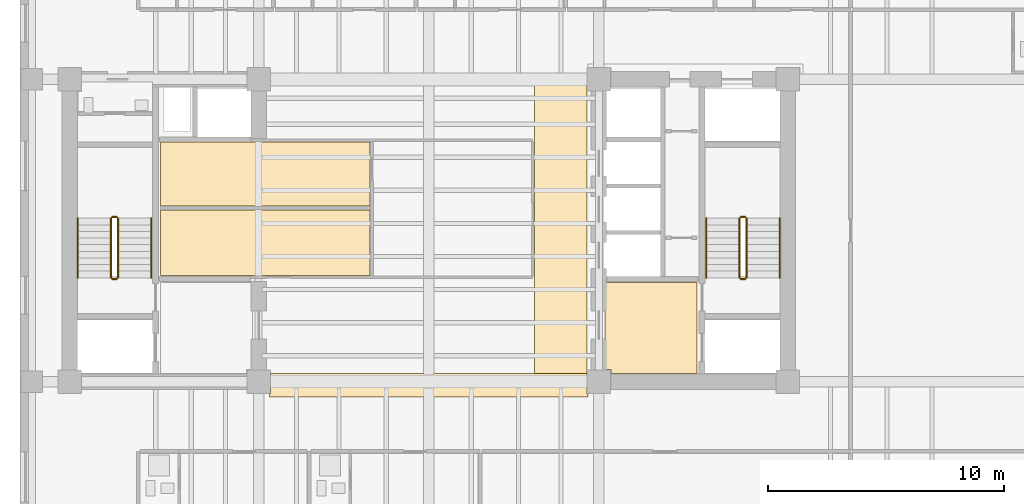
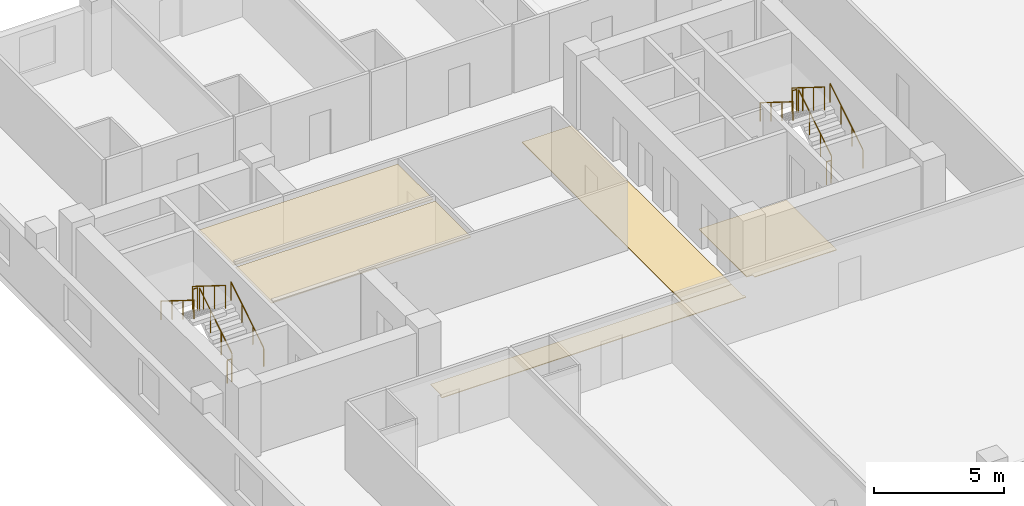
# One storey, part 7 of 9: 12 railings, 5 coverings.
"""IFC4 building model written with IfcOpenShell, lengths in metres."""

import ifcopenshell
import ifcopenshell.guid

model = None  # the IFC model being written
_history = None  # IfcOwnerHistory: only IFC2X3 demands one
_inside = {}  # id of a spatial element -> (the spatial element, [elements in it])
_under = {}  # id of a project, library or spatial element -> (it, [spatial elements below it])
_declared = {}  # id of a project -> (the project, [libraries it declares])
_typed = {}  # id of a type object -> (the type object, [elements of that type])
_made_of = {}  # id of a material, layer set ... -> (it, [elements and type objects made of it])


def new_model(schema):
    """Start an empty IFC model of exactly this schema.

    Asked for "IFC4X3", IfcOpenShell would pick the latest addendum, in which some entities
    have other attributes; the version numbers below select the first issue.
    IFC2X3 requires an IfcOwnerHistory on every rooted entity: one is made here for all.
    """
    global model, _history
    if schema == "IFC4X3":
        model = ifcopenshell.file(schema_version=(4, 3, 0, 0))
    else:
        model = ifcopenshell.file(schema=schema)
    _inside.clear()
    _under.clear()
    _declared.clear()
    _typed.clear()
    _made_of.clear()
    _history = None
    if model.schema == "IFC2X3":
        org = make("IfcOrganization", Name="unknown")
        user = make(
            "IfcPersonAndOrganization",
            ThePerson=make("IfcPerson", FamilyName="unknown"),
            TheOrganization=org,
        )
        app = make(
            "IfcApplication",
            ApplicationDeveloper=org,
            Version="unknown",
            ApplicationFullName="unknown",
            ApplicationIdentifier="unknown",
        )
        _history = make(
            "IfcOwnerHistory",
            OwningUser=user,
            OwningApplication=app,
            ChangeAction="ADDED",
            CreationDate=0,
        )
    return model


def make(cls, **values):
    """One entity of the class cls with the attributes given. An attribute that is None is left unset."""
    return model.create_entity(
        cls, **{name: value for name, value in values.items() if value is not None}
    )


def rooted(cls, **values):
    """An entity with a GlobalId (a new one), such as an element, a storey or a relation."""
    return make(cls, GlobalId=ifcopenshell.guid.new(), OwnerHistory=_history, **values)


def si_unit(unit_type, name, prefix=None):
    """IfcSIUnit, for example si_unit("LENGTHUNIT", "METRE", prefix="MILLI")."""
    return make("IfcSIUnit", UnitType=unit_type, Prefix=prefix, Name=name)


def assignment(units):
    """IfcUnitAssignment: the units of a project."""
    return None if units is None else make("IfcUnitAssignment", Units=units)


def point(xyz):
    """IfcCartesianPoint."""
    return None if xyz is None else make("IfcCartesianPoint", Coordinates=xyz)


def direction(xyz):
    """IfcDirection."""
    return None if xyz is None else make("IfcDirection", DirectionRatios=xyz)


def frame(location, z_axis=None, x_axis=None):
    """IfcAxis2Placement3D, a coordinate frame: its origin and axes. An axis left out is left unset."""
    return make(
        "IfcAxis2Placement3D",
        Location=point(location),
        Axis=direction(z_axis),
        RefDirection=direction(x_axis),
    )


def frame_2d(location, x_axis=None):
    """IfcAxis2Placement2D, a coordinate frame in the plane: its origin and x axis."""
    return make(
        "IfcAxis2Placement2D", Location=point(location), RefDirection=direction(x_axis)
    )


def origin():
    """The frame at (0, 0, 0) with its axes left unset."""
    return frame((0.0, 0.0, 0.0))


def origin_2d():
    """The frame at (0, 0) in the plane with its x axis left unset."""
    return frame_2d((0.0, 0.0))


def place(relative_to, where):
    """IfcLocalPlacement: puts the frame where relative to a parent placement (None: the world)."""
    return make(
        "IfcLocalPlacement", PlacementRelTo=relative_to, RelativePlacement=where
    )


def context(
    kind, dimensions, precision=None, world=None, true_north=None, identifier=None
):
    """IfcGeometricRepresentationContext, for example the 3D "Model" context."""
    return make(
        "IfcGeometricRepresentationContext",
        ContextIdentifier=identifier,
        ContextType=kind,
        CoordinateSpaceDimension=dimensions,
        Precision=precision,
        WorldCoordinateSystem=world,
        TrueNorth=true_north,
    )


def subcontext(parent, identifier, kind, view, scale=None):
    """IfcGeometricRepresentationSubContext, for example "Body" below "Model"."""
    return make(
        "IfcGeometricRepresentationSubContext",
        ContextIdentifier=identifier,
        ContextType=kind,
        ParentContext=parent,
        TargetScale=scale,
        TargetView=view,
    )


def project(units=None, contexts=None):
    """IfcProject with its units and contexts."""
    return rooted(
        "IfcProject",
        Name="project",
        RepresentationContexts=contexts,
        UnitsInContext=assignment(units),
    )


def spatial(cls, under=None, at=None, **own):
    """A site, building, storey or space (cls), placed at a placement, below another one or the project."""
    s = rooted(cls, ObjectPlacement=at, **own)
    if under is not None:
        _under.setdefault(under.id(), (under, []))[1].append(s)
    return s


def polyline(points):
    """IfcPolyline through the points."""
    return make("IfcPolyline", Points=[point(p) for p in points])


def profile(cls, at=None, kind="AREA", **sizes):
    """A parametric profile (cls). Its sizes go by their IFC names, for example OverallWidth=200.0."""
    return make(cls, ProfileType=kind, Position=at, **sizes)


def circle(**sizes):
    """IfcCircleProfileDef."""
    return profile("IfcCircleProfileDef", **sizes)


def outline(outer, holes=None, kind="AREA"):
    """IfcArbitraryClosedProfileDef: a profile drawn as a closed curve; with holes, ...WithVoids."""
    if holes is None:
        return make("IfcArbitraryClosedProfileDef", ProfileType=kind, OuterCurve=outer)
    return make(
        "IfcArbitraryProfileDefWithVoids",
        ProfileType=kind,
        OuterCurve=outer,
        InnerCurves=holes,
    )


def extrude(swept, where, along, depth):
    """IfcExtrudedAreaSolid: the profile swept, set in the frame where, extruded along a direction by depth."""
    return make(
        "IfcExtrudedAreaSolid",
        SweptArea=swept,
        Position=where,
        ExtrudedDirection=direction(along),
        Depth=depth,
    )


def shape(context_of_items, identifier, shape_type, items):
    """IfcShapeRepresentation: the items that make up one representation, for example the "Body"."""
    return make(
        "IfcShapeRepresentation",
        ContextOfItems=context_of_items,
        RepresentationIdentifier=identifier,
        RepresentationType=shape_type,
        Items=items,
    )


def material(Name=None, Category=None):
    """IfcMaterial."""
    return make("IfcMaterial", Name=Name, Category=Category)


def layer(
    of_material, thickness, ventilated=None, Name=None, Category=None, Priority=None
):
    """IfcMaterialLayer: one layer of a wall or slab, of a material (None: an air gap)."""
    return make(
        "IfcMaterialLayer",
        Material=of_material,
        LayerThickness=thickness,
        IsVentilated=ventilated,
        Name=Name,
        Category=Category,
        Priority=Priority,
    )


def layer_set(layers, Name=None):
    """IfcMaterialLayerSet."""
    return make("IfcMaterialLayerSet", MaterialLayers=layers, LayerSetName=Name)


def made_of(thing, what):
    """Note that an element or type object is made of a material, layer set ...; save() writes the relation."""
    if what is not None:
        _made_of.setdefault(what.id(), (what, []))[1].append(thing)
    return thing


def type_object(cls, material=None, **own):
    """A type object (cls), such as IfcWallType, which elements share."""
    return made_of(rooted(cls, **own), material)


def element(
    cls,
    number,
    at=None,
    inside=None,
    cuts=None,
    type_object=None,
    material=None,
    context=None,
    identifier="Body",
    shape_type=None,
    held_by="IfcProductDefinitionShape",
    body=None,
    shapes=None,
    **own,
):
    """One element of the class cls, such as IfcWall. Its Tag is "e" and its number.

    at: its placement. inside: the storey or other place that contains it. cuts: it is an
    opening in that element (IfcRelVoidsElement). A single representation is given by context,
    identifier, shape_type and body (its items); several are given by shapes. held_by: the class
    of the entity that holds the representations. save() writes the other relations.
    """
    e = rooted(cls, Tag="e%d" % number, ObjectPlacement=at, **own)
    if body is not None:
        shapes = [shape(context, identifier, shape_type, body)]
    if shapes is not None:
        e.Representation = make(held_by, Representations=shapes)
    if inside is not None:
        _inside.setdefault(inside.id(), (inside, []))[1].append(e)
    if cuts is not None:
        rooted(
            "IfcRelVoidsElement", RelatingBuildingElement=cuts, RelatedOpeningElement=e
        )
    if type_object is not None:
        _typed.setdefault(type_object.id(), (type_object, []))[1].append(e)
    return made_of(e, material)


def aggregate(whole, parts):
    """IfcRelAggregates: a whole, such as a stair, and the parts it consists of."""
    return rooted("IfcRelAggregates", RelatingObject=whole, RelatedObjects=parts)


def save(model, path):
    """Write the relations noted so far, then the file.

    IfcRelAggregates (storeys below a building ...), IfcRelContainedInSpatialStructure (elements
    in a storey), IfcRelDefinesByType, IfcRelAssociatesMaterial and IfcRelDeclares: one each for
    every whole, place, type object, material and project.
    """
    for whole, parts in _under.values():
        aggregate(whole, parts)
    for where, things in _inside.values():
        rooted(
            "IfcRelContainedInSpatialStructure",
            RelatedElements=things,
            RelatingStructure=where,
        )
    for kind, things in _typed.values():
        rooted("IfcRelDefinesByType", RelatedObjects=things, RelatingType=kind)
    for what, things in _made_of.values():
        rooted("IfcRelAssociatesMaterial", RelatedObjects=things, RelatingMaterial=what)
    for by, libraries in _declared.values():
        rooted("IfcRelDeclares", RelatingContext=by, RelatedDefinitions=libraries)
    model.write(path)


model = new_model("IFC4")

# Units and contexts
model_context = context("Model", 3, precision=1e-05, world=origin(), true_north=direction((0.0, 1.0)))
body_context = subcontext(model_context, "Body", "Model", "MODEL_VIEW")
ifc_project = project(units=[si_unit("LENGTHUNIT", "METRE"), si_unit("AREAUNIT", "SQUARE_METRE"), si_unit("VOLUMEUNIT", "CUBIC_METRE"), si_unit("PLANEANGLEUNIT", "RADIAN"), si_unit("MASSUNIT", "GRAM", prefix="KILO")], contexts=[model_context])

# Site, building, storey
site_placement = place(None, origin())
site = spatial("IfcSite", under=ifc_project, at=site_placement, CompositionType="ELEMENT")
building_placement = place(site_placement, origin())
building = spatial("IfcBuilding", under=site, at=building_placement, Name="Kranthara Brick Stack", CompositionType="ELEMENT")
storey_placement = place(building_placement, frame((0.0, 0.0, 148.300048828125)))
storey = spatial("IfcBuildingStorey", under=building, at=storey_placement, Name="L37", CompositionType="ELEMENT", Elevation=148.300048828125)

# Coverings
ifc_material_1 = material(Name="Perforated mineral-fibre acoustic ceiling tile", Category="other")
ifc_layer_1 = layer(ifc_material_1, 0.02490234375)
ifc_layer_set_1 = layer_set([ifc_layer_1], Name="Perforated mineral-fibre acoustic ceiling tile")
covering_type_1 = type_object("IfcCoveringType", Name="COV-CEIL-ACOUSTIC", PredefinedType="CEILING", material=ifc_layer_set_1)
covering_1_placement = place(storey_placement, frame((0.0, 0.0, 2.929931640625)))
element("IfcCovering", 1, at=covering_1_placement, inside=storey, type_object=covering_type_1, Name="L37 L37 Hotel Reading Room Acoustic Ceiling", PredefinedType="CEILING", context=body_context, shape_type="SweptSolid", body=[
    extrude(outline(polyline([(25.52001953125, 25.300048828125), (25.52001953125, 28.070068359375), (16.64990234375, 28.070068359375), (16.64990234375, 25.300048828125), (25.52001953125, 25.300048828125)])), origin(), (0.0, 0.0, 1.0), 0.02490234375),
])
covering_2_placement = place(storey_placement, frame((0.0, 0.0, 2.929931640625)))
element("IfcCovering", 2, at=covering_2_placement, inside=storey, type_object=covering_type_1, Name="L37 L37 Hotel Executive Briefing Salon Acoustic Ceiling", PredefinedType="CEILING", context=body_context, shape_type="SweptSolid", body=[
    extrude(outline(polyline([(25.52001953125, 28.22998046875), (25.52001953125, 30.93994140625), (16.64990234375, 30.93994140625), (16.64990234375, 28.22998046875), (25.52001953125, 28.22998046875)])), origin(), (0.0, 0.0, 1.0), 0.02490234375),
])
ifc_material_2 = material(Name="Honed terrazzo and porcelain floor finish", Category="stone")
ifc_layer_2 = layer(ifc_material_2, 0.030029296875)
ifc_layer_set_2 = layer_set([ifc_layer_2], Name="Honed terrazzo and porcelain floor finish")
covering_type_2 = type_object("IfcCoveringType", Name="COV-FLOR-STONE", PredefinedType="FLOORING", material=ifc_layer_set_2)
covering_3_placement = place(storey_placement, origin())
element("IfcCovering", 3, at=covering_3_placement, inside=storey, type_object=covering_type_2, Name="L37 Lift Lobby Stone Flooring", PredefinedType="FLOORING", context=body_context, shape_type="SweptSolid", body=[
    extrude(outline(polyline([(35.449951171875, 25.0), (39.35009765625, 25.0), (39.35009765625, 21.14990234375), (35.7099609375, 21.14990234375), (35.7099609375, 21.31005859375), (35.449951171875, 21.31005859375), (35.449951171875, 25.0)])), origin(), (0.0, 0.0, 1.0), 0.030029296875),
])
covering_4_placement = place(storey_placement, origin())
element("IfcCovering", 4, at=covering_4_placement, inside=storey, type_object=covering_type_2, Name="L37 Lift Lobby Stone Flooring", PredefinedType="FLOORING", context=body_context, shape_type="SweptSolid", body=[
    extrude(outline(polyline([(32.47998046875, 33.449951171875), (34.68994140625, 33.449951171875), (34.68994140625, 33.090087890625), (34.699951171875, 33.090087890625), (34.699951171875, 21.31005859375), (34.68994140625, 21.31005859375), (34.68994140625, 21.14990234375), (32.47998046875, 21.14990234375), (32.47998046875, 33.449951171875)])), origin(), (0.0, 0.0, 1.0), 0.030029296875),
])
covering_5_placement = place(storey_placement, origin())
element("IfcCovering", 5, at=covering_5_placement, inside=storey, type_object=covering_type_2, Name="L37 Lift Lobby Stone Flooring", PredefinedType="FLOORING", context=body_context, shape_type="SweptSolid", body=[
    extrude(outline(polyline([(21.25, 20.2900390625), (21.31005859375, 20.2900390625), (21.31005859375, 21.14990234375), (32.47998046875, 21.14990234375), (34.68994140625, 21.14990234375), (34.68994140625, 20.2900390625), (34.75, 20.2900390625), (34.75, 20.14990234375), (21.25, 20.14990234375), (21.25, 20.2900390625)])), origin(), (0.0, 0.0, 1.0), 0.030029296875),
])

# Railings
ifc_material_3 = material(Name="Painted galvanized steel stair guardrail", Category="steel")
railing_type_1 = type_object("IfcRailingType", Name="RL-STAIR-GUARD-1100", PredefinedType="GUARDRAIL", material=ifc_material_3)
railing_1_placement = place(storey_placement, frame((14.85009765625, 25.199951171875, 0.175048828125)))
element("IfcRailing", 6, at=railing_1_placement, inside=storey, type_object=railing_type_1, Name="L37 ST01 stair guard 1", PredefinedType="GUARDRAIL", context=body_context, shape_type="SweptSolid", body=[
    extrude(circle(Radius=0.02392578125, at=origin_2d()), frame((0.0, 0.0, 1.076171875), z_axis=(0.0, 0.848007534815, 0.529984170421), x_axis=(-1.0, 0.0, 0.0)), (0.0, 0.0, 1.0), 2.9716796875),
    extrude(circle(Radius=0.02099609375, at=origin_2d()), origin(), (0.0, 0.0, 1.0), 1.052001953125),
    extrude(circle(Radius=0.02099609375, at=origin_2d()), frame((0.0, 0.840087890625, 0.52490234375)), (0.0, 0.0, 1.0), 1.052001953125),
    extrude(circle(Radius=0.02099609375, at=origin_2d()), frame((0.0, 1.679931640625, 1.050048828125)), (0.0, 0.0, 1.0), 1.052001953125),
    extrude(circle(Radius=0.02099609375, at=origin_2d()), frame((0.0, 2.52001953125, 1.574951171875)), (0.0, 0.0, 1.0), 1.052001953125),
])
railing_2_placement = place(storey_placement, frame((14.800048828125, 27.77001953125, 1.75)))
element("IfcRailing", 7, at=railing_2_placement, inside=storey, type_object=railing_type_1, Name="L37 ST01 stair guard 2", PredefinedType="GUARDRAIL", context=body_context, shape_type="SweptSolid", body=[
    extrude(circle(Radius=0.02392578125, at=origin_2d()), frame((0.0, 0.0, 1.076171875), z_axis=(-1.0, 0.0, 0.0), x_axis=(0.0, -1.0, 0.0)), (0.0, 0.0, 1.0), 0.199951171875),
    extrude(circle(Radius=0.02099609375, at=origin_2d()), origin(), (0.0, 0.0, 1.0), 1.052001953125),
    extrude(circle(Radius=0.02099609375, at=origin_2d()), frame((-0.199951171875, 0.0, 0.0)), (0.0, 0.0, 1.0), 1.052001953125),
])
railing_3_placement = place(storey_placement, frame((14.550048828125, 27.719970703125, 1.925048828125)))
element("IfcRailing", 8, at=railing_3_placement, inside=storey, type_object=railing_type_1, Name="L37 ST01 stair guard 3", PredefinedType="GUARDRAIL", context=body_context, shape_type="SweptSolid", body=[
    extrude(circle(Radius=0.02392578125, at=origin_2d()), frame((0.0, 0.0, 1.076171875), z_axis=(0.0, -0.848007534815, 0.529984170421), x_axis=(1.0, 0.0, 0.0)), (0.0, 0.0, 1.0), 2.9716796875),
    extrude(circle(Radius=0.02099609375, at=origin_2d()), origin(), (0.0, 0.0, 1.0), 1.052001953125),
    extrude(circle(Radius=0.02099609375, at=origin_2d()), frame((0.0, -0.840087890625, 0.52490234375)), (0.0, 0.0, 1.0), 1.052001953125),
    extrude(circle(Radius=0.02099609375, at=origin_2d()), frame((0.0, -1.679931640625, 1.050048828125)), (0.0, 0.0, 1.0), 1.052001953125),
    extrude(circle(Radius=0.02099609375, at=origin_2d()), frame((0.0, -2.52001953125, 1.574951171875)), (0.0, 0.0, 1.0), 1.052001953125),
])
railing_4_placement = place(storey_placement, frame((14.800048828125, 25.14990234375, 0.0)))
element("IfcRailing", 9, at=railing_4_placement, inside=storey, type_object=railing_type_1, Name="L37 ST01 stair guard 4", PredefinedType="GUARDRAIL", context=body_context, shape_type="SweptSolid", body=[
    extrude(circle(Radius=0.02392578125, at=origin_2d()), frame((0.0, 0.0, 1.076171875), z_axis=(-1.0, 0.0, 0.0), x_axis=(0.0, -1.0, 0.0)), (0.0, 0.0, 1.0), 0.199951171875),
    extrude(circle(Radius=0.02099609375, at=origin_2d()), origin(), (0.0, 0.0, 1.0), 1.052001953125),
    extrude(circle(Radius=0.02099609375, at=origin_2d()), frame((-0.199951171875, 0.0, 0.0)), (0.0, 0.0, 1.0), 1.052001953125),
])
railing_5_placement = place(storey_placement, frame((41.449951171875, 25.199951171875, 0.175048828125)))
element("IfcRailing", 10, at=railing_5_placement, inside=storey, type_object=railing_type_1, Name="L37 ST02 stair guard 1", PredefinedType="GUARDRAIL", context=body_context, shape_type="SweptSolid", body=[
    extrude(circle(Radius=0.02392578125, at=origin_2d()), frame((0.0, 0.0, 1.076171875), z_axis=(0.0, 0.848007534815, 0.529984170421), x_axis=(-1.0, 0.0, 0.0)), (0.0, 0.0, 1.0), 2.9716796875),
    extrude(circle(Radius=0.02099609375, at=origin_2d()), origin(), (0.0, 0.0, 1.0), 1.052001953125),
    extrude(circle(Radius=0.02099609375, at=origin_2d()), frame((0.0, 0.840087890625, 0.52490234375)), (0.0, 0.0, 1.0), 1.052001953125),
    extrude(circle(Radius=0.02099609375, at=origin_2d()), frame((0.0, 1.679931640625, 1.050048828125)), (0.0, 0.0, 1.0), 1.052001953125),
    extrude(circle(Radius=0.02099609375, at=origin_2d()), frame((0.0, 2.52001953125, 1.574951171875)), (0.0, 0.0, 1.0), 1.052001953125),
])
railing_6_placement = place(storey_placement, frame((41.39990234375, 27.77001953125, 1.75)))
element("IfcRailing", 11, at=railing_6_placement, inside=storey, type_object=railing_type_1, Name="L37 ST02 stair guard 2", PredefinedType="GUARDRAIL", context=body_context, shape_type="SweptSolid", body=[
    extrude(circle(Radius=0.02392578125, at=origin_2d()), frame((0.0, 0.0, 1.076171875), z_axis=(-1.0, 0.0, 0.0), x_axis=(0.0, -1.0, 0.0)), (0.0, 0.0, 1.0), 0.199951171875),
    extrude(circle(Radius=0.02099609375, at=origin_2d()), origin(), (0.0, 0.0, 1.0), 1.052001953125),
    extrude(circle(Radius=0.02099609375, at=origin_2d()), frame((-0.199951171875, 0.0, 0.0)), (0.0, 0.0, 1.0), 1.052001953125),
])
railing_7_placement = place(storey_placement, frame((41.14990234375, 27.719970703125, 1.925048828125)))
element("IfcRailing", 12, at=railing_7_placement, inside=storey, type_object=railing_type_1, Name="L37 ST02 stair guard 3", PredefinedType="GUARDRAIL", context=body_context, shape_type="SweptSolid", body=[
    extrude(circle(Radius=0.02392578125, at=origin_2d()), frame((0.0, 0.0, 1.076171875), z_axis=(0.0, -0.848007534815, 0.529984170421), x_axis=(1.0, 0.0, 0.0)), (0.0, 0.0, 1.0), 2.9716796875),
    extrude(circle(Radius=0.02099609375, at=origin_2d()), origin(), (0.0, 0.0, 1.0), 1.052001953125),
    extrude(circle(Radius=0.02099609375, at=origin_2d()), frame((0.0, -0.840087890625, 0.52490234375)), (0.0, 0.0, 1.0), 1.052001953125),
    extrude(circle(Radius=0.02099609375, at=origin_2d()), frame((0.0, -1.679931640625, 1.050048828125)), (0.0, 0.0, 1.0), 1.052001953125),
    extrude(circle(Radius=0.02099609375, at=origin_2d()), frame((0.0, -2.52001953125, 1.574951171875)), (0.0, 0.0, 1.0), 1.052001953125),
])
railing_8_placement = place(storey_placement, frame((41.39990234375, 25.14990234375, 0.0)))
element("IfcRailing", 13, at=railing_8_placement, inside=storey, type_object=railing_type_1, Name="L37 ST02 stair guard 4", PredefinedType="GUARDRAIL", context=body_context, shape_type="SweptSolid", body=[
    extrude(circle(Radius=0.02392578125, at=origin_2d()), frame((0.0, 0.0, 1.076171875), z_axis=(-1.0, 0.0, 0.0), x_axis=(0.0, -1.0, 0.0)), (0.0, 0.0, 1.0), 0.199951171875),
    extrude(circle(Radius=0.02099609375, at=origin_2d()), origin(), (0.0, 0.0, 1.0), 1.052001953125),
    extrude(circle(Radius=0.02099609375, at=origin_2d()), frame((-0.199951171875, 0.0, 0.0)), (0.0, 0.0, 1.0), 1.052001953125),
])
ifc_material_4 = material(Name="Brushed stainless steel tubular handrail", Category="steel")
railing_type_2 = type_object("IfcRailingType", Name="RL-STAIR-HAND-900", PredefinedType="HANDRAIL", material=ifc_material_4)
railing_9_placement = place(storey_placement, frame((16.25, 25.199951171875, 0.175048828125)))
element("IfcRailing", 14, at=railing_9_placement, inside=storey, type_object=railing_type_2, Name="L37 ST01 stair handrail 1", PredefinedType="HANDRAIL", context=body_context, shape_type="SweptSolid", body=[
    extrude(circle(Radius=0.02392578125, at=origin_2d()), frame((0.0, 0.0, 0.8759765625), z_axis=(0.0, 0.848007534815, 0.529984170421), x_axis=(-1.0, 0.0, 0.0)), (0.0, 0.0, 1.0), 2.9716796875),
    extrude(circle(Radius=0.02099609375, at=origin_2d()), origin(), (0.0, 0.0, 1.0), 0.851806640625),
    extrude(circle(Radius=0.02099609375, at=origin_2d()), frame((0.0, 0.840087890625, 0.52490234375)), (0.0, 0.0, 1.0), 0.851806640625),
    extrude(circle(Radius=0.02099609375, at=origin_2d()), frame((0.0, 1.679931640625, 1.050048828125)), (0.0, 0.0, 1.0), 0.851806640625),
    extrude(circle(Radius=0.02099609375, at=origin_2d()), frame((0.0, 2.52001953125, 1.574951171875)), (0.0, 0.0, 1.0), 0.851806640625),
])
railing_10_placement = place(storey_placement, frame((13.14990234375, 27.719970703125, 1.925048828125)))
element("IfcRailing", 15, at=railing_10_placement, inside=storey, type_object=railing_type_2, Name="L37 ST01 stair handrail 2", PredefinedType="HANDRAIL", context=body_context, shape_type="SweptSolid", body=[
    extrude(circle(Radius=0.02392578125, at=origin_2d()), frame((0.0, 0.0, 0.8759765625), z_axis=(0.0, -0.848007534815, 0.529984170421), x_axis=(1.0, 0.0, 0.0)), (0.0, 0.0, 1.0), 2.9716796875),
    extrude(circle(Radius=0.02099609375, at=origin_2d()), origin(), (0.0, 0.0, 1.0), 0.851806640625),
    extrude(circle(Radius=0.02099609375, at=origin_2d()), frame((0.0, -0.840087890625, 0.52490234375)), (0.0, 0.0, 1.0), 0.851806640625),
    extrude(circle(Radius=0.02099609375, at=origin_2d()), frame((0.0, -1.679931640625, 1.050048828125)), (0.0, 0.0, 1.0), 0.851806640625),
    extrude(circle(Radius=0.02099609375, at=origin_2d()), frame((0.0, -2.52001953125, 1.574951171875)), (0.0, 0.0, 1.0), 0.851806640625),
])
railing_11_placement = place(storey_placement, frame((42.85009765625, 25.199951171875, 0.175048828125)))
element("IfcRailing", 16, at=railing_11_placement, inside=storey, type_object=railing_type_2, Name="L37 ST02 stair handrail 1", PredefinedType="HANDRAIL", context=body_context, shape_type="SweptSolid", body=[
    extrude(circle(Radius=0.02392578125, at=origin_2d()), frame((0.0, 0.0, 0.8759765625), z_axis=(0.0, 0.848007534815, 0.529984170421), x_axis=(-1.0, 0.0, 0.0)), (0.0, 0.0, 1.0), 2.9716796875),
    extrude(circle(Radius=0.02099609375, at=origin_2d()), origin(), (0.0, 0.0, 1.0), 0.851806640625),
    extrude(circle(Radius=0.02099609375, at=origin_2d()), frame((0.0, 0.840087890625, 0.52490234375)), (0.0, 0.0, 1.0), 0.851806640625),
    extrude(circle(Radius=0.02099609375, at=origin_2d()), frame((0.0, 1.679931640625, 1.050048828125)), (0.0, 0.0, 1.0), 0.851806640625),
    extrude(circle(Radius=0.02099609375, at=origin_2d()), frame((0.0, 2.52001953125, 1.574951171875)), (0.0, 0.0, 1.0), 0.851806640625),
])
railing_12_placement = place(storey_placement, frame((39.75, 27.719970703125, 1.925048828125)))
element("IfcRailing", 17, at=railing_12_placement, inside=storey, type_object=railing_type_2, Name="L37 ST02 stair handrail 2", PredefinedType="HANDRAIL", context=body_context, shape_type="SweptSolid", body=[
    extrude(circle(Radius=0.02392578125, at=origin_2d()), frame((0.0, 0.0, 0.8759765625), z_axis=(0.0, -0.848007534815, 0.529984170421), x_axis=(1.0, 0.0, 0.0)), (0.0, 0.0, 1.0), 2.9716796875),
    extrude(circle(Radius=0.02099609375, at=origin_2d()), origin(), (0.0, 0.0, 1.0), 0.851806640625),
    extrude(circle(Radius=0.02099609375, at=origin_2d()), frame((0.0, -0.840087890625, 0.52490234375)), (0.0, 0.0, 1.0), 0.851806640625),
    extrude(circle(Radius=0.02099609375, at=origin_2d()), frame((0.0, -1.679931640625, 1.050048828125)), (0.0, 0.0, 1.0), 0.851806640625),
    extrude(circle(Radius=0.02099609375, at=origin_2d()), frame((0.0, -2.52001953125, 1.574951171875)), (0.0, 0.0, 1.0), 0.851806640625),
])

save(model, "model.ifc")
